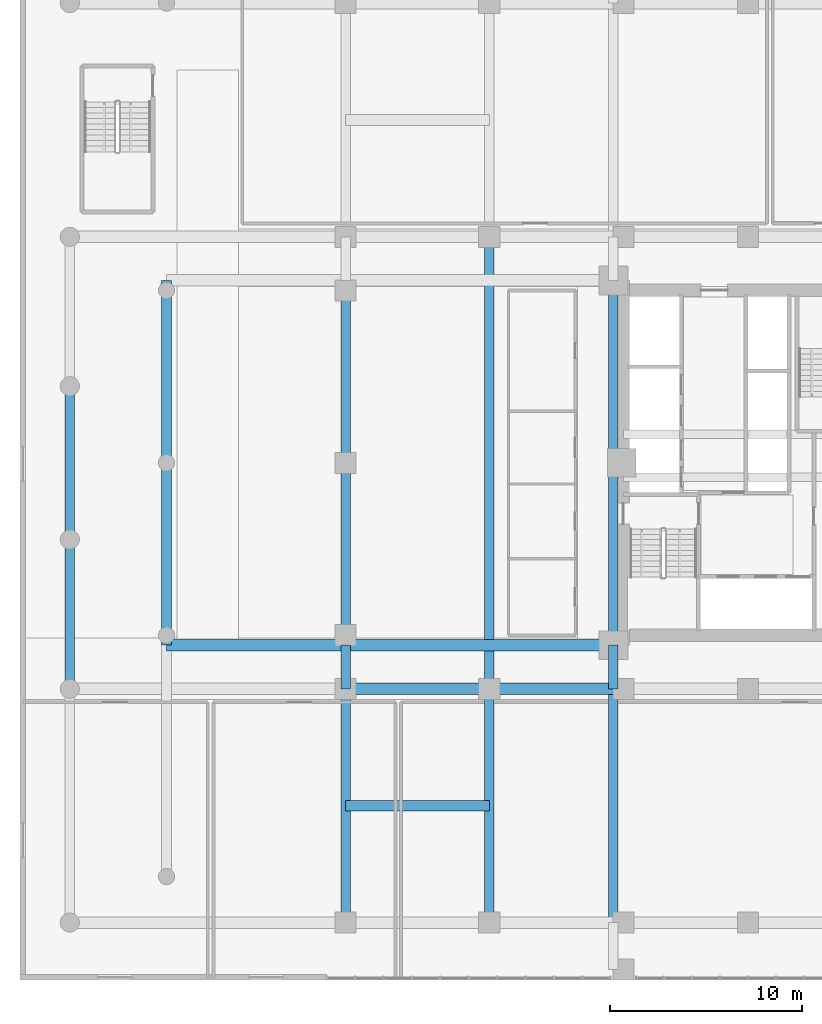
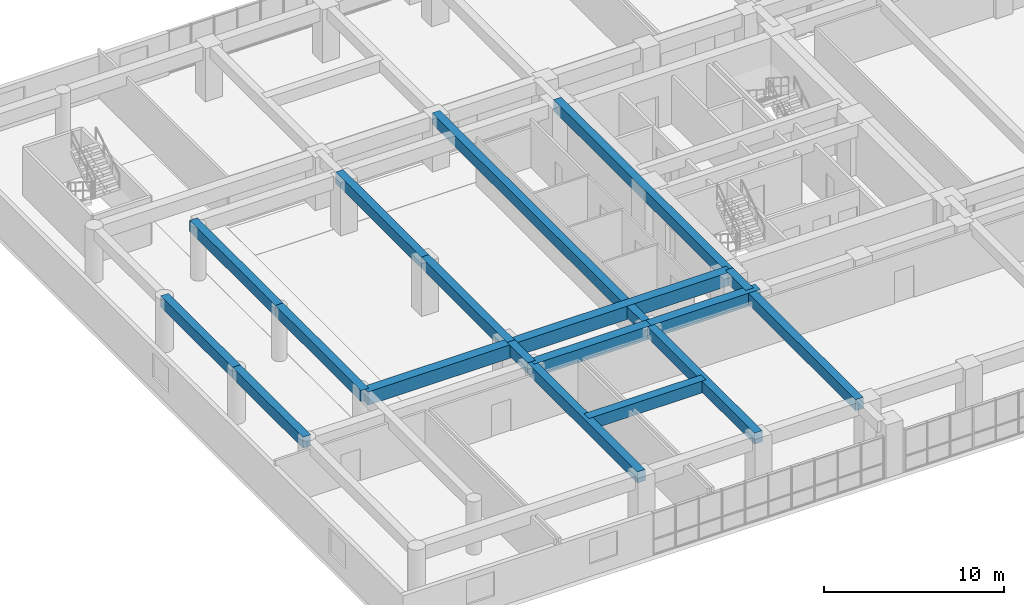
# One storey, part 5 of 30: 18 beams.
"""IFC4 building model written with IfcOpenShell, lengths in metres."""

import ifcopenshell
import ifcopenshell.guid

model = None  # the IFC model being written
_history = None  # IfcOwnerHistory: only IFC2X3 demands one
_inside = {}  # id of a spatial element -> (the spatial element, [elements in it])
_under = {}  # id of a project, library or spatial element -> (it, [spatial elements below it])
_declared = {}  # id of a project -> (the project, [libraries it declares])
_typed = {}  # id of a type object -> (the type object, [elements of that type])
_made_of = {}  # id of a material, layer set ... -> (it, [elements and type objects made of it])


def new_model(schema):
    """Start an empty IFC model of exactly this schema.

    Asked for "IFC4X3", IfcOpenShell would pick the latest addendum, in which some entities
    have other attributes; the version numbers below select the first issue.
    IFC2X3 requires an IfcOwnerHistory on every rooted entity: one is made here for all.
    """
    global model, _history
    if schema == "IFC4X3":
        model = ifcopenshell.file(schema_version=(4, 3, 0, 0))
    else:
        model = ifcopenshell.file(schema=schema)
    _inside.clear()
    _under.clear()
    _declared.clear()
    _typed.clear()
    _made_of.clear()
    _history = None
    if model.schema == "IFC2X3":
        org = make("IfcOrganization", Name="unknown")
        user = make(
            "IfcPersonAndOrganization",
            ThePerson=make("IfcPerson", FamilyName="unknown"),
            TheOrganization=org,
        )
        app = make(
            "IfcApplication",
            ApplicationDeveloper=org,
            Version="unknown",
            ApplicationFullName="unknown",
            ApplicationIdentifier="unknown",
        )
        _history = make(
            "IfcOwnerHistory",
            OwningUser=user,
            OwningApplication=app,
            ChangeAction="ADDED",
            CreationDate=0,
        )
    return model


def make(cls, **values):
    """One entity of the class cls with the attributes given. An attribute that is None is left unset."""
    return model.create_entity(
        cls, **{name: value for name, value in values.items() if value is not None}
    )


def rooted(cls, **values):
    """An entity with a GlobalId (a new one), such as an element, a storey or a relation."""
    return make(cls, GlobalId=ifcopenshell.guid.new(), OwnerHistory=_history, **values)


def si_unit(unit_type, name, prefix=None):
    """IfcSIUnit, for example si_unit("LENGTHUNIT", "METRE", prefix="MILLI")."""
    return make("IfcSIUnit", UnitType=unit_type, Prefix=prefix, Name=name)


def assignment(units):
    """IfcUnitAssignment: the units of a project."""
    return None if units is None else make("IfcUnitAssignment", Units=units)


def point(xyz):
    """IfcCartesianPoint."""
    return None if xyz is None else make("IfcCartesianPoint", Coordinates=xyz)


def direction(xyz):
    """IfcDirection."""
    return None if xyz is None else make("IfcDirection", DirectionRatios=xyz)


def frame(location, z_axis=None, x_axis=None):
    """IfcAxis2Placement3D, a coordinate frame: its origin and axes. An axis left out is left unset."""
    return make(
        "IfcAxis2Placement3D",
        Location=point(location),
        Axis=direction(z_axis),
        RefDirection=direction(x_axis),
    )


def frame_2d(location, x_axis=None):
    """IfcAxis2Placement2D, a coordinate frame in the plane: its origin and x axis."""
    return make(
        "IfcAxis2Placement2D", Location=point(location), RefDirection=direction(x_axis)
    )


def origin():
    """The frame at (0, 0, 0) with its axes left unset."""
    return frame((0.0, 0.0, 0.0))


def origin_2d():
    """The frame at (0, 0) in the plane with its x axis left unset."""
    return frame_2d((0.0, 0.0))


def place(relative_to, where):
    """IfcLocalPlacement: puts the frame where relative to a parent placement (None: the world)."""
    return make(
        "IfcLocalPlacement", PlacementRelTo=relative_to, RelativePlacement=where
    )


def context(
    kind, dimensions, precision=None, world=None, true_north=None, identifier=None
):
    """IfcGeometricRepresentationContext, for example the 3D "Model" context."""
    return make(
        "IfcGeometricRepresentationContext",
        ContextIdentifier=identifier,
        ContextType=kind,
        CoordinateSpaceDimension=dimensions,
        Precision=precision,
        WorldCoordinateSystem=world,
        TrueNorth=true_north,
    )


def subcontext(parent, identifier, kind, view, scale=None):
    """IfcGeometricRepresentationSubContext, for example "Body" below "Model"."""
    return make(
        "IfcGeometricRepresentationSubContext",
        ContextIdentifier=identifier,
        ContextType=kind,
        ParentContext=parent,
        TargetScale=scale,
        TargetView=view,
    )


def project(units=None, contexts=None):
    """IfcProject with its units and contexts."""
    return rooted(
        "IfcProject",
        Name="project",
        RepresentationContexts=contexts,
        UnitsInContext=assignment(units),
    )


def spatial(cls, under=None, at=None, **own):
    """A site, building, storey or space (cls), placed at a placement, below another one or the project."""
    s = rooted(cls, ObjectPlacement=at, **own)
    if under is not None:
        _under.setdefault(under.id(), (under, []))[1].append(s)
    return s


def profile(cls, at=None, kind="AREA", **sizes):
    """A parametric profile (cls). Its sizes go by their IFC names, for example OverallWidth=200.0."""
    return make(cls, ProfileType=kind, Position=at, **sizes)


def rectangle(**sizes):
    """IfcRectangleProfileDef."""
    return profile("IfcRectangleProfileDef", **sizes)


def extrude(swept, where, along, depth):
    """IfcExtrudedAreaSolid: the profile swept, set in the frame where, extruded along a direction by depth."""
    return make(
        "IfcExtrudedAreaSolid",
        SweptArea=swept,
        Position=where,
        ExtrudedDirection=direction(along),
        Depth=depth,
    )


def shape(context_of_items, identifier, shape_type, items):
    """IfcShapeRepresentation: the items that make up one representation, for example the "Body"."""
    return make(
        "IfcShapeRepresentation",
        ContextOfItems=context_of_items,
        RepresentationIdentifier=identifier,
        RepresentationType=shape_type,
        Items=items,
    )


def source(mapping_origin, context_of_items, identifier, shape_type, items):
    """IfcRepresentationMap: a shape defined once, which mapped items show again and again."""
    return make(
        "IfcRepresentationMap",
        MappingOrigin=mapping_origin,
        MappedRepresentation=shape(context_of_items, identifier, shape_type, items),
    )


def transform(
    local_origin,
    x_axis=None,
    y_axis=None,
    z_axis=None,
    scale=None,
    scale2=None,
    scale3=None,
    uniform=True,
):
    """IfcCartesianTransformationOperator3D, or its non-uniform kind. x_axis, y_axis, z_axis: its Axis1, 2, 3."""
    if uniform:
        return make(
            "IfcCartesianTransformationOperator3D",
            Axis1=direction(x_axis),
            Axis2=direction(y_axis),
            LocalOrigin=point(local_origin),
            Scale=scale,
            Axis3=direction(z_axis),
        )
    return make(
        "IfcCartesianTransformationOperator3DnonUniform",
        Axis1=direction(x_axis),
        Axis2=direction(y_axis),
        LocalOrigin=point(local_origin),
        Scale=scale,
        Axis3=direction(z_axis),
        Scale2=scale2,
        Scale3=scale3,
    )


def mapped(mapping_source, mapping_target):
    """IfcMappedItem: shows the shape of a source again, moved by a transform."""
    return make(
        "IfcMappedItem", MappingSource=mapping_source, MappingTarget=mapping_target
    )


def material(Name=None, Category=None):
    """IfcMaterial."""
    return make("IfcMaterial", Name=Name, Category=Category)


def material_profile(
    of_material, cross_section, Name=None, Category=None, Priority=None
):
    """IfcMaterialProfile: a cross section and its material."""
    return make(
        "IfcMaterialProfile",
        Name=Name,
        Material=of_material,
        Profile=cross_section,
        Priority=Priority,
        Category=Category,
    )


def profile_set(profiles, Name=None, composite=None):
    """IfcMaterialProfileSet."""
    return make(
        "IfcMaterialProfileSet",
        Name=Name,
        MaterialProfiles=profiles,
        CompositeProfile=composite,
    )


def made_of(thing, what):
    """Note that an element or type object is made of a material, layer set ...; save() writes the relation."""
    if what is not None:
        _made_of.setdefault(what.id(), (what, []))[1].append(thing)
    return thing


def type_object(cls, material=None, **own):
    """A type object (cls), such as IfcWallType, which elements share."""
    return made_of(rooted(cls, **own), material)


def element(
    cls,
    number,
    at=None,
    inside=None,
    cuts=None,
    type_object=None,
    material=None,
    context=None,
    identifier="Body",
    shape_type=None,
    held_by="IfcProductDefinitionShape",
    body=None,
    shapes=None,
    **own,
):
    """One element of the class cls, such as IfcWall. Its Tag is "e" and its number.

    at: its placement. inside: the storey or other place that contains it. cuts: it is an
    opening in that element (IfcRelVoidsElement). A single representation is given by context,
    identifier, shape_type and body (its items); several are given by shapes. held_by: the class
    of the entity that holds the representations. save() writes the other relations.
    """
    e = rooted(cls, Tag="e%d" % number, ObjectPlacement=at, **own)
    if body is not None:
        shapes = [shape(context, identifier, shape_type, body)]
    if shapes is not None:
        e.Representation = make(held_by, Representations=shapes)
    if inside is not None:
        _inside.setdefault(inside.id(), (inside, []))[1].append(e)
    if cuts is not None:
        rooted(
            "IfcRelVoidsElement", RelatingBuildingElement=cuts, RelatedOpeningElement=e
        )
    if type_object is not None:
        _typed.setdefault(type_object.id(), (type_object, []))[1].append(e)
    return made_of(e, material)


def aggregate(whole, parts):
    """IfcRelAggregates: a whole, such as a stair, and the parts it consists of."""
    return rooted("IfcRelAggregates", RelatingObject=whole, RelatedObjects=parts)


def save(model, path):
    """Write the relations noted so far, then the file.

    IfcRelAggregates (storeys below a building ...), IfcRelContainedInSpatialStructure (elements
    in a storey), IfcRelDefinesByType, IfcRelAssociatesMaterial and IfcRelDeclares: one each for
    every whole, place, type object, material and project.
    """
    for whole, parts in _under.values():
        aggregate(whole, parts)
    for where, things in _inside.values():
        rooted(
            "IfcRelContainedInSpatialStructure",
            RelatedElements=things,
            RelatingStructure=where,
        )
    for kind, things in _typed.values():
        rooted("IfcRelDefinesByType", RelatedObjects=things, RelatingType=kind)
    for what, things in _made_of.values():
        rooted("IfcRelAssociatesMaterial", RelatedObjects=things, RelatingMaterial=what)
    for by, libraries in _declared.values():
        rooted("IfcRelDeclares", RelatingContext=by, RelatedDefinitions=libraries)
    model.write(path)


model = new_model("IFC4")

# Units and contexts
model_context = context("Model", 3, precision=1e-05, world=origin(), true_north=direction((0.0, 1.0)))
body_context = subcontext(model_context, "Body", "Model", "MODEL_VIEW")
ifc_project = project(units=[si_unit("LENGTHUNIT", "METRE"), si_unit("AREAUNIT", "SQUARE_METRE"), si_unit("VOLUMEUNIT", "CUBIC_METRE"), si_unit("PLANEANGLEUNIT", "RADIAN"), si_unit("MASSUNIT", "GRAM", prefix="KILO")], contexts=[model_context])

# Site, building, storey
site_placement = place(None, origin())
site = spatial("IfcSite", under=ifc_project, at=site_placement, CompositionType="ELEMENT")
building_placement = place(site_placement, origin())
building = spatial("IfcBuilding", under=site, at=building_placement, Name="Saelheon Loggia Tower", CompositionType="ELEMENT")
storey_placement = place(building_placement, frame((0.0, 0.0, 11.39990234375)))
storey = spatial("IfcBuildingStorey", under=building, at=storey_placement, Name="L03", CompositionType="ELEMENT", Elevation=11.39990234375)

# Beams
ifc_material_1 = material(Name="Concrete C50/60", Category="concrete")
ifc_material_profile_1 = material_profile(ifc_material_1, rectangle(XDim=0.60009765625, YDim=0.89990234375, at=origin_2d()), Name="RC-600x900")
ifc_profile_set_1 = profile_set([ifc_material_profile_1], Name="Concrete C50/60")
beam_type_1 = type_object("IfcBeamType", Name="Beam_MainGirder_RC600x900", PredefinedType="BEAM", material=ifc_profile_set_1)
shared_shape_1 = source(origin(), body_context, "Body", "SweptSolid", [
    extrude(rectangle(XDim=0.60009765625, YDim=0.89990234375, at=origin_2d()), origin(), (0.0, 0.0, 1.0), 7.5),
])
beam_1_placement = place(storey_placement, frame((17.0, 15.199951171875, 3.150146484375), z_axis=(1.0, 0.0, 0.0), x_axis=(0.0, 1.0, 0.0)))
element("IfcBeam", 1, at=beam_1_placement, inside=storey, type_object=beam_type_1, Name="BM-L03-EW-15-2", PredefinedType="BEAM", context=body_context, shape_type="MappedRepresentation", body=[
    mapped(shared_shape_1, transform((0.0, 0.0, 0.0), scale=1.0)),
])
shared_shape_2 = source(origin(), body_context, "Body", "SweptSolid", [
    extrude(rectangle(XDim=0.60009765625, YDim=0.89990234375, at=origin_2d()), origin(), (0.0, 0.0, 1.0), 7.0),
])
beam_2_placement = place(storey_placement, frame((24.5, 15.199951171875, 3.150146484375), z_axis=(1.0, 0.0, 0.0), x_axis=(0.0, 1.0, 0.0)))
element("IfcBeam", 2, at=beam_2_placement, inside=storey, type_object=beam_type_1, Name="BM-L03-EW-15-3", PredefinedType="BEAM", context=body_context, shape_type="MappedRepresentation", body=[
    mapped(shared_shape_2, transform((0.0, 0.0, 0.0), scale=1.0)),
])
shared_shape_3 = source(origin(), body_context, "Body", "SweptSolid", [
    extrude(rectangle(XDim=0.60009765625, YDim=0.89990234375, at=origin_2d()), origin(), (0.0, 0.0, 1.0), 9.35009765625),
])
beam_3_placement = place(storey_placement, frame((7.64990234375, 17.47998046875, 3.150146484375), z_axis=(1.0, 0.0, 0.0), x_axis=(0.0, 1.0, 0.0)))
element("IfcBeam", 3, at=beam_3_placement, inside=storey, type_object=beam_type_1, Name="BM-L03-CT-17-W1", PredefinedType="BEAM", context=body_context, shape_type="MappedRepresentation", body=[
    mapped(shared_shape_3, transform((0.0, 0.0, 0.0), scale=1.0)),
])
shared_shape_4 = source(origin(), body_context, "Body", "SweptSolid", [
    extrude(rectangle(XDim=0.60009765625, YDim=0.89990234375, at=origin_2d()), origin(), (0.0, 0.0, 1.0), 13.97998046875),
])
beam_4_placement = place(storey_placement, frame((17.0, 17.47998046875, 3.150146484375), z_axis=(1.0, 0.0, 0.0), x_axis=(0.0, 1.0, 0.0)))
element("IfcBeam", 4, at=beam_4_placement, inside=storey, type_object=beam_type_1, Name="BM-L03-CT-17-W2", PredefinedType="BEAM", context=body_context, shape_type="MappedRepresentation", body=[
    mapped(shared_shape_4, transform((0.0, 0.0, 0.0), scale=1.0)),
])
ifc_material_2 = material(Name="Concrete C45/55", Category="concrete")
ifc_material_profile_2 = material_profile(ifc_material_2, rectangle(XDim=0.5, YDim=0.75, at=origin_2d()), Name="RC-500x750")
ifc_profile_set_2 = profile_set([ifc_material_profile_2], Name="Concrete C45/55")
beam_type_2 = type_object("IfcBeamType", Name="Beam_FloorGirder_RC500x750", PredefinedType="BEAM", material=ifc_profile_set_2)
shared_shape_5 = source(origin(), body_context, "Body", "SweptSolid", [
    extrude(rectangle(XDim=0.5, YDim=0.75, at=origin_2d()), origin(), (0.0, 0.0, 1.0), 12.199951171875),
])
for number, where, z_axis, x_axis, name in (
    (5, (17.0, 3.0, 3.22509765625), (0.0, 1.0, 0.0), (-1.0, 0.0, 0.0), "BM-L03-NS-17-1"),
    (6, (24.5, 3.0, 3.22509765625), (0.0, 1.0, 0.0), (-1.0, 0.0, 0.0), "BM-L03-NS-24-1"),
    (7, (30.97998046875, 3.0, 3.22509765625), (0.0, 1.0, 0.0), (-1.0, 0.0, 0.0), "BM-L03-NS-30-2"),
):
    element("IfcBeam", number, at=place(storey_placement, frame(where, z_axis=z_axis, x_axis=x_axis)), inside=storey, type_object=beam_type_2, Name=name, PredefinedType="BEAM", context=body_context, shape_type="MappedRepresentation", body=[
        mapped(shared_shape_5, transform((0.0, 0.0, 0.0), scale=1.0)),
    ])
ifc_material_profile_3 = material_profile(ifc_material_2, rectangle(XDim=0.5, YDim=0.75, at=origin_2d()), Name="RC-500x750")
ifc_profile_set_3 = profile_set([ifc_material_profile_3], Name="Concrete C45/55")
beam_type_3 = type_object("IfcBeamType", Name="Beam_PerimGirder_RC500x750", PredefinedType="BEAM", material=ifc_profile_set_3)
shared_shape_6 = source(origin(), body_context, "Body", "SweptSolid", [
    extrude(rectangle(XDim=0.5, YDim=0.75, at=origin_2d()), origin(), (0.0, 0.0, 1.0), 7.800048828125),
])
beam_5_placement = place(storey_placement, frame((2.60009765625, 15.199951171875, 3.22509765625), z_axis=(0.0, 1.0, 0.0), x_axis=(-1.0, 0.0, 0.0)))
element("IfcBeam", 8, at=beam_5_placement, inside=storey, type_object=beam_type_3, Name="BM-L03-NS-2-2", PredefinedType="BEAM", context=body_context, shape_type="MappedRepresentation", body=[
    mapped(shared_shape_6, transform((0.0, 0.0, 0.0), scale=1.0)),
])
shared_shape_7 = source(origin(), body_context, "Body", "SweptSolid", [
    extrude(rectangle(XDim=0.5, YDim=0.75, at=origin_2d()), origin(), (0.0, 0.0, 1.0), 8.0),
])
beam_6_placement = place(storey_placement, frame((2.60009765625, 23.0, 3.22509765625), z_axis=(0.0, 1.0, 0.0), x_axis=(-1.0, 0.0, 0.0)))
element("IfcBeam", 9, at=beam_6_placement, inside=storey, type_object=beam_type_3, Name="BM-L03-NS-2-3", PredefinedType="BEAM", context=body_context, shape_type="MappedRepresentation", body=[
    mapped(shared_shape_7, transform((0.0, 0.0, 0.0), scale=1.0)),
])
shared_shape_8 = source(origin(), body_context, "Body", "SweptSolid", [
    extrude(rectangle(XDim=0.5, YDim=0.75, at=origin_2d()), origin(), (0.0, 0.0, 1.0), 9.52001953125),
])
for number, where, z_axis, x_axis, name in (
    (10, (7.64990234375, 17.47998046875, 3.22509765625), (0.0, 1.0, 0.0), (-1.0, 0.0, 0.0), "BM-L03-NS-7-2"),
    (11, (7.64990234375, 27.0, 3.22509765625), (0.0, 1.0, 0.0), (-1.0, 0.0, 0.0), "BM-L03-NS-7-3"),
    (12, (17.0, 17.47998046875, 3.22509765625), (0.0, 1.0, 0.0), (-1.0, 0.0, 0.0), "BM-L03-NS-17-3"),
    (13, (17.0, 27.0, 3.22509765625), (0.0, 1.0, 0.0), (-1.0, 0.0, 0.0), "BM-L03-NS-17-4"),
):
    element("IfcBeam", number, at=place(storey_placement, frame(where, z_axis=z_axis, x_axis=x_axis)), inside=storey, type_object=beam_type_2, Name=name, PredefinedType="BEAM", context=body_context, shape_type="MappedRepresentation", body=[
        mapped(shared_shape_8, transform((0.0, 0.0, 0.0), scale=1.0)),
    ])
shared_shape_9 = source(origin(), body_context, "Body", "SweptSolid", [
    extrude(rectangle(XDim=0.5, YDim=0.75, at=origin_2d()), origin(), (0.0, 0.0, 1.0), 2.280029296875),
])
for number, where, z_axis, x_axis, name in (
    (14, (17.0, 15.199951171875, 3.22509765625), (0.0, 1.0, 0.0), (-1.0, 0.0, 0.0), "BM-L03-NS-17-2"),
    (15, (30.97998046875, 15.199951171875, 3.22509765625), (0.0, 1.0, 0.0), (-1.0, 0.0, 0.0), "BM-L03-NS-30-3"),
):
    element("IfcBeam", number, at=place(storey_placement, frame(where, z_axis=z_axis, x_axis=x_axis)), inside=storey, type_object=beam_type_2, Name=name, PredefinedType="BEAM", context=body_context, shape_type="MappedRepresentation", body=[
        mapped(shared_shape_9, transform((0.0, 0.0, 0.0), scale=1.0)),
    ])
shared_shape_10 = source(origin(), body_context, "Body", "SweptSolid", [
    extrude(rectangle(XDim=0.5, YDim=0.75, at=origin_2d()), origin(), (0.0, 0.0, 1.0), 23.60009765625),
])
beam_7_placement = place(storey_placement, frame((24.5, 15.199951171875, 3.22509765625), z_axis=(0.0, 1.0, 0.0), x_axis=(-1.0, 0.0, 0.0)))
element("IfcBeam", 16, at=beam_7_placement, inside=storey, type_object=beam_type_2, Name="BM-L03-NS-24-2", PredefinedType="BEAM", context=body_context, shape_type="MappedRepresentation", body=[
    mapped(shared_shape_10, transform((0.0, 0.0, 0.0), scale=1.0)),
])
shared_shape_11 = source(origin(), body_context, "Body", "SweptSolid", [
    extrude(rectangle(XDim=0.5, YDim=0.75, at=origin_2d()), origin(), (0.0, 0.0, 1.0), 19.0400390625),
])
beam_8_placement = place(storey_placement, frame((30.97998046875, 17.47998046875, 3.22509765625), z_axis=(0.0, 1.0, 0.0), x_axis=(-1.0, 0.0, 0.0)))
element("IfcBeam", 17, at=beam_8_placement, inside=storey, type_object=beam_type_2, Name="BM-L03-NS-30-4", PredefinedType="BEAM", context=body_context, shape_type="MappedRepresentation", body=[
    mapped(shared_shape_11, transform((0.0, 0.0, 0.0), scale=1.0)),
])
ifc_material_profile_4 = material_profile(ifc_material_2, rectangle(XDim=0.550048828125, YDim=0.800048828125, at=origin_2d()), Name="RC-550x800")
ifc_profile_set_4 = profile_set([ifc_material_profile_4], Name="Concrete C45/55")
beam_type_4 = type_object("IfcBeamType", Name="Beam_ClinicGirder_RC550x800", PredefinedType="BEAM", material=ifc_profile_set_4)
shared_shape_12 = source(origin(), body_context, "Body", "SweptSolid", [
    extrude(rectangle(XDim=0.550048828125, YDim=0.800048828125, at=origin_2d()), origin(), (0.0, 0.0, 1.0), 7.5),
])
beam_9_placement = place(storey_placement, frame((17.0, 9.10009765625, 3.2001953125), z_axis=(1.0, 0.0, 0.0), x_axis=(0.0, 1.0, 0.0)))
element("IfcBeam", 18, at=beam_9_placement, inside=storey, type_object=beam_type_4, Name="JST-L03-CL-SW", PredefinedType="BEAM", context=body_context, shape_type="MappedRepresentation", body=[
    mapped(shared_shape_12, transform((0.0, 0.0, 0.0), scale=1.0)),
])

save(model, "model.ifc")
